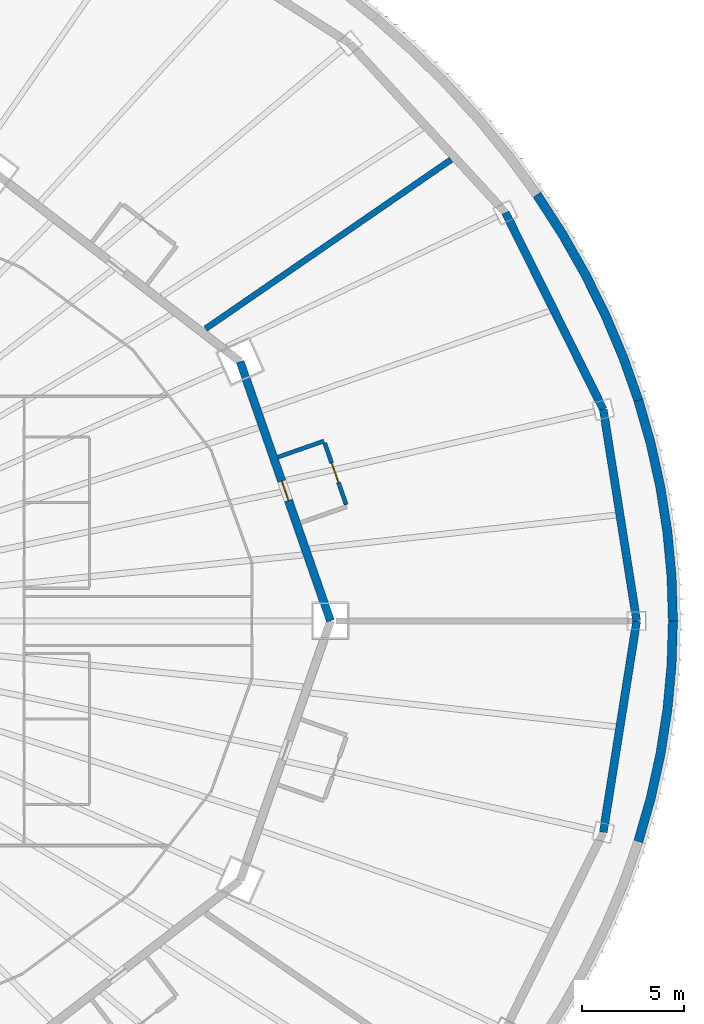
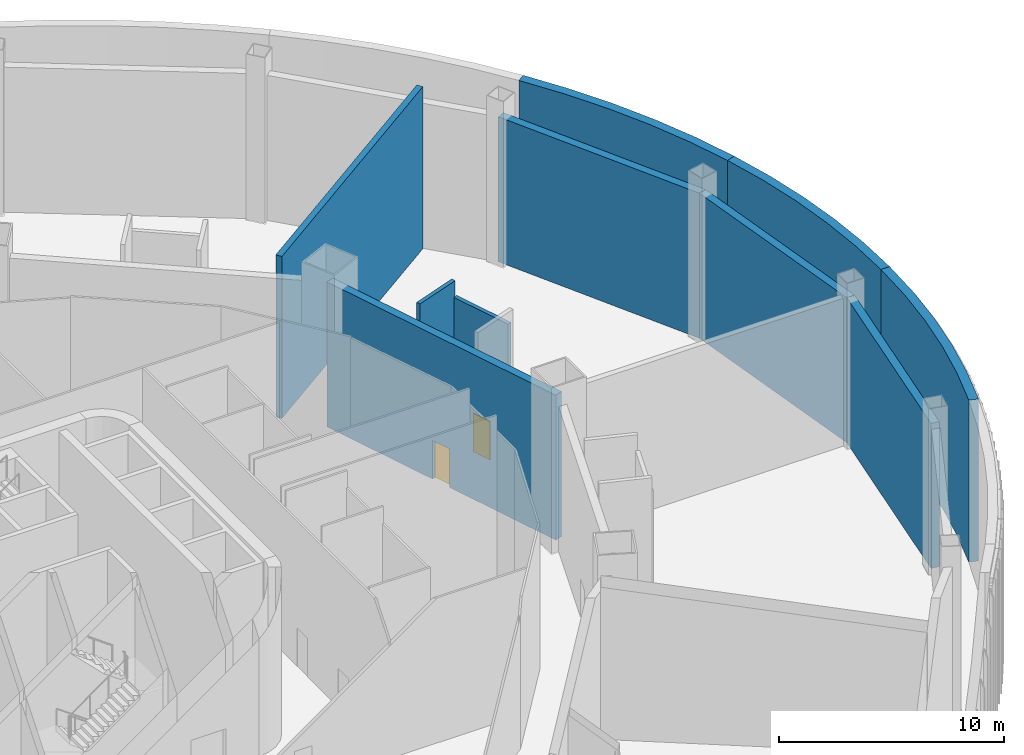
# One storey, part 12 of 35: 10 walls, 2 doors, 2 openings.
"""IFC4 building model written with IfcOpenShell, lengths in metres."""

from ifc_helpers import new_model, si_unit, direction, frame, frame_2d, origin, place, context, subcontext, project, spatial, polyline, rectangle, outline, extrude, material, layer, layer_set, type_object, element, fill, save


model = new_model("IFC4")

# Units and contexts
model_context = context("Model", 3, precision=1e-05, world=origin(), true_north=direction((0.0, 1.0)))
body_context = subcontext(model_context, "Body", "Model", "MODEL_VIEW")
ifc_project = project(units=[si_unit("LENGTHUNIT", "METRE"), si_unit("AREAUNIT", "SQUARE_METRE"), si_unit("VOLUMEUNIT", "CUBIC_METRE"), si_unit("PLANEANGLEUNIT", "RADIAN"), si_unit("MASSUNIT", "GRAM", prefix="KILO")], contexts=[model_context])

# Site, building, storey
site_placement = place(None, origin())
site = spatial("IfcSite", under=ifc_project, at=site_placement, CompositionType="ELEMENT")
building_placement = place(site_placement, origin())
building = spatial("IfcBuilding", under=site, at=building_placement, Name="Sahrelin Media Tower", CompositionType="ELEMENT")
storey_placement = place(building_placement, frame((0.0, 0.0, 8.0)))
storey = spatial("IfcBuildingStorey", under=building, at=storey_placement, Name="L01", CompositionType="ELEMENT", Elevation=8.0)

# Wall
ifc_material_1 = material(Name="Fire-rated gypsum board partition")
ifc_layer_1 = layer(ifc_material_1, 0.199951171875)
ifc_layer_set_1 = layer_set([ifc_layer_1], Name="Fire-rated partition 200")
wall_type_1 = type_object("IfcWallType", Name="Fire-rated partition 200", PredefinedType="PARTITIONING", material=ifc_layer_set_1)
wall_1_placement = place(storey_placement, frame((30.41943359375, 8.021240234375, 0.0), z_axis=(0.0, 0.0, 1.0), x_axis=(0.94440893349, 0.328773122904, 0.0)))
element("IfcWall", 1, at=wall_1_placement, inside=storey, type_object=wall_type_1, Name="Wall", PredefinedType="PARTITIONING", context=body_context, shape_type="SweptSolid", body=[
    extrude(rectangle(XDim=2.39990234375, YDim=0.199951171875, at=frame_2d((1.199951171875, 0.0))), origin(), (0.0, 0.0, 1.0), 8.800048828125),
])

# Wall, opening, door
wall_2_placement = place(storey_placement, frame((33.77099609375, 5.693603515625, 0.0), z_axis=(0.0, 0.0, 1.0), x_axis=(-0.328742544754, 0.944419577978, 0.0)))
wall_2 = element("IfcWall", 2, at=wall_2_placement, inside=storey, type_object=wall_type_1, Name="Wall", PredefinedType="PARTITIONING", context=body_context, shape_type="SweptSolid", body=[
    extrude(rectangle(XDim=3.2001953125, YDim=0.199951171875, at=frame_2d((1.60009765625, 0.0))), origin(), (0.0, 0.0, 1.0), 7.945068359375),
])
opening_1_placement = place(wall_2_placement, frame((1.14990234375, 0.0, 0.0)))
opening_1 = element("IfcOpeningElement", 3, at=opening_1_placement, cuts=wall_2, Name="Opening L01-D56", PredefinedType="OPENING", context=body_context, shape_type="SweptSolid", body=[
    extrude(rectangle(XDim=1.0, YDim=2.10009765625, at=frame_2d((0.5, 1.050048828125))), frame((0.0, 0.10009765625, 0.0), z_axis=(0.0, -1.0, 0.0), x_axis=(1.0, 0.0, 0.0)), (0.0, 0.0, 1.0), 0.199951171875),
])
ifc_material_2 = material(Name="Steel fire door leaf", Category="steel")
door_type = type_object("IfcDoorType", Name="Fire door 1000 x 2100 EI 60", OperationType="NOTDEFINED", PredefinedType="DOOR", material=ifc_material_2)
door_1_placement = place(opening_1_placement, origin())
door_1 = element("IfcDoor", 4, at=door_1_placement, inside=storey, type_object=door_type, Name="Fire door", OperationType="SINGLE_SWING_RIGHT", OverallHeight=2.10009765625, OverallWidth=1.0, PredefinedType="DOOR", context=body_context, shape_type="SweptSolid", body=[
    extrude(rectangle(XDim=1.0, YDim=2.10009765625, at=frame_2d((0.5, 1.050048828125))), frame((0.0, 0.02490234375, 0.0), z_axis=(0.0, -1.0, 0.0), x_axis=(1.0, 0.0, 0.0)), (0.0, 0.0, 1.0), 0.050048828125),
])
fill(opening_1, door_1)

# Walls
ifc_layer_2 = layer(ifc_material_1, 0.300048828125)
ifc_layer_set_2 = layer_set([ifc_layer_2], Name="Fire-rated partition 300")
wall_type_2 = type_object("IfcWallType", Name="Fire-rated partition 300", PredefinedType="PARTITIONING", material=ifc_layer_set_2)
wall_3_placement = place(storey_placement, frame((26.887939453125, 14.31201171875, 0.0), z_axis=(0.0, 0.0, 1.0), x_axis=(0.823646474485, 0.567103592889, 0.0)))
element("IfcWall", 5, at=wall_3_placement, inside=storey, type_object=wall_type_2, Name="Wall", PredefinedType="PARTITIONING", context=body_context, shape_type="SweptSolid", body=[
    extrude(rectangle(XDim=14.598388671875, YDim=0.300048828125, at=frame_2d((7.29931640625, 0.0))), origin(), (0.0, 0.0, 1.0), 8.800048828125),
])
ifc_layer_3 = layer(ifc_material_1, 0.39990234375)
ifc_layer_set_3 = layer_set([ifc_layer_3], Name="Fire-rated partition 400")
wall_type_3 = type_object("IfcWallType", Name="Fire-rated partition 400", PredefinedType="PARTITIONING", material=ifc_layer_set_3)
wall_4_placement = place(storey_placement, frame((48.0, 0.0, 0.0), z_axis=(0.0, 0.0, 1.0), x_axis=(-0.156041518224, 0.987750497135, 0.0)))
element("IfcWall", 6, at=wall_4_placement, inside=storey, type_object=wall_type_3, Name="Wall", PredefinedType="PARTITIONING", context=body_context, shape_type="SweptSolid", body=[
    extrude(rectangle(XDim=10.481201171875, YDim=0.39990234375, at=frame_2d((5.24072265625, 0.0))), origin(), (0.0, 0.0, 1.0), 7.876953125),
])
wall_5_placement = place(storey_placement, frame((46.364501953125, 10.352783203125, 0.0), z_axis=(0.0, 0.0, 1.0), x_axis=(-0.445118441463, 0.895471704226, 0.0)))
element("IfcWall", 7, at=wall_5_placement, inside=storey, type_object=wall_type_3, Name="Wall", PredefinedType="PARTITIONING", context=body_context, shape_type="SweptSolid", body=[
    extrude(rectangle(XDim=10.7734375, YDim=0.39990234375, at=frame_2d((5.38671875, 0.0))), origin(), (0.0, 0.0, 1.0), 7.876953125),
])
wall_6_placement = place(storey_placement, frame((46.364501953125, -10.352783203125, 0.0), z_axis=(0.0, 0.0, 1.0), x_axis=(0.156041518224, 0.987750497135, 0.0)))
element("IfcWall", 8, at=wall_6_placement, inside=storey, type_object=wall_type_3, Name="Wall", PredefinedType="PARTITIONING", context=body_context, shape_type="SweptSolid", body=[
    extrude(rectangle(XDim=10.481201171875, YDim=0.39990234375, at=frame_2d((5.24072265625, 0.0))), origin(), (0.0, 0.0, 1.0), 7.876953125),
])

# Wall, opening, door
wall_7_placement = place(storey_placement, frame((33.0, 0.0, 0.0), z_axis=(0.0, 0.0, 1.0), x_axis=(-0.328770590399, 0.944409815117, 0.0)))
wall_7 = element("IfcWall", 9, at=wall_7_placement, inside=storey, type_object=wall_type_3, Name="Wall", PredefinedType="PARTITIONING", context=body_context, shape_type="SweptSolid", body=[
    extrude(rectangle(XDim=13.447509765625, YDim=0.39990234375, at=frame_2d((6.7236328125, 0.0))), origin(), (0.0, 0.0, 1.0), 7.8681640625),
])
opening_2_placement = place(wall_7_placement, frame((6.25, 0.0, 0.0)))
opening_2 = element("IfcOpeningElement", 10, at=opening_2_placement, cuts=wall_7, Name="Opening L01-D55", PredefinedType="OPENING", context=body_context, shape_type="SweptSolid", body=[
    extrude(rectangle(XDim=1.0, YDim=2.10009765625, at=frame_2d((0.5, 1.050048828125))), frame((0.0, 0.199951171875, 0.0), z_axis=(0.0, -1.0, 0.0), x_axis=(1.0, 0.0, 0.0)), (0.0, 0.0, 1.0), 0.39990234375),
])
door_2_placement = place(opening_2_placement, origin())
door_2 = element("IfcDoor", 11, at=door_2_placement, inside=storey, type_object=door_type, Name="Fire door", OperationType="SINGLE_SWING_RIGHT", OverallHeight=2.10009765625, OverallWidth=1.0, PredefinedType="DOOR", context=body_context, shape_type="SweptSolid", body=[
    extrude(rectangle(XDim=1.0, YDim=2.10009765625, at=frame_2d((0.5, 1.050048828125))), frame((0.0, 0.02490234375, 0.0), z_axis=(0.0, -1.0, 0.0), x_axis=(1.0, 0.0, 0.0)), (0.0, 0.0, 1.0), 0.050048828125),
])
fill(opening_2, door_2)

# Walls
ifc_material_3 = material(Name="Concrete C40/50", Category="concrete")
ifc_layer_4 = layer(ifc_material_3, 0.449951171875)
ifc_layer_set_4 = layer_set([ifc_layer_4], Name="Studio facade wall")
wall_type_4 = type_object("IfcWallType", Name="Studio facade wall", PredefinedType="SOLIDWALL", material=ifc_layer_set_4)
placement = place(storey_placement, origin())
element("IfcWall", 12, at=placement, inside=storey, type_object=wall_type_4, Name="Studio facade wall L01-P00", PredefinedType="SOLIDWALL", context=body_context, shape_type="SweptSolid", body=[
    extrude(outline(polyline([(50.0, 0.0), (49.931396484375, 2.197998046875), (49.72607421875, 4.39013671875), (49.384521484375, 6.5703125), (48.907470703125, 8.732421875), (48.29638671875, 10.870361328125), (47.86767578125, 10.733642578125), (48.47119140625, 8.621826171875), (48.942138671875, 6.48681640625), (49.279541015625, 4.334228515625), (49.482421875, 2.170166015625), (49.550048828125, 0.0), (50.0, 0.0)])), origin(), (0.0, 0.0, 1.0), 8.800048828125),
])
element("IfcWall", 13, at=placement, inside=storey, type_object=wall_type_4, Name="Studio facade wall L01-P01", PredefinedType="SOLIDWALL", context=body_context, shape_type="SweptSolid", body=[
    extrude(outline(polyline([(48.29638671875, 10.870361328125), (47.552734375, 12.978759765625), (46.678955078125, 15.051513671875), (45.67724609375, 17.0830078125), (44.55029296875, 19.067626953125), (43.30126953125, 21.0), (42.930419921875, 20.7451171875), (44.16552734375, 18.834228515625), (45.27978515625, 16.872314453125), (46.269775390625, 14.864501953125), (47.133056640625, 12.81640625), (47.86767578125, 10.733642578125), (48.29638671875, 10.870361328125)])), origin(), (0.0, 0.0, 1.0), 8.800048828125),
])
element("IfcWall", 14, at=placement, inside=storey, type_object=wall_type_4, Name="Studio facade wall L01-P23", PredefinedType="SOLIDWALL", context=body_context, shape_type="SweptSolid", body=[
    extrude(outline(polyline([(48.29638671875, -10.870361328125), (48.907470703125, -8.732421875), (49.384521484375, -6.5703125), (49.72607421875, -4.39013671875), (49.931396484375, -2.197998046875), (50.0, 0.0), (49.550048828125, 0.0), (49.482421875, -2.170166015625), (49.279541015625, -4.334228515625), (48.942138671875, -6.48681640625), (48.47119140625, -8.621826171875), (47.86767578125, -10.733642578125), (48.29638671875, -10.870361328125)])), origin(), (0.0, 0.0, 1.0), 8.800048828125),
])

save(model, "model.ifc")
